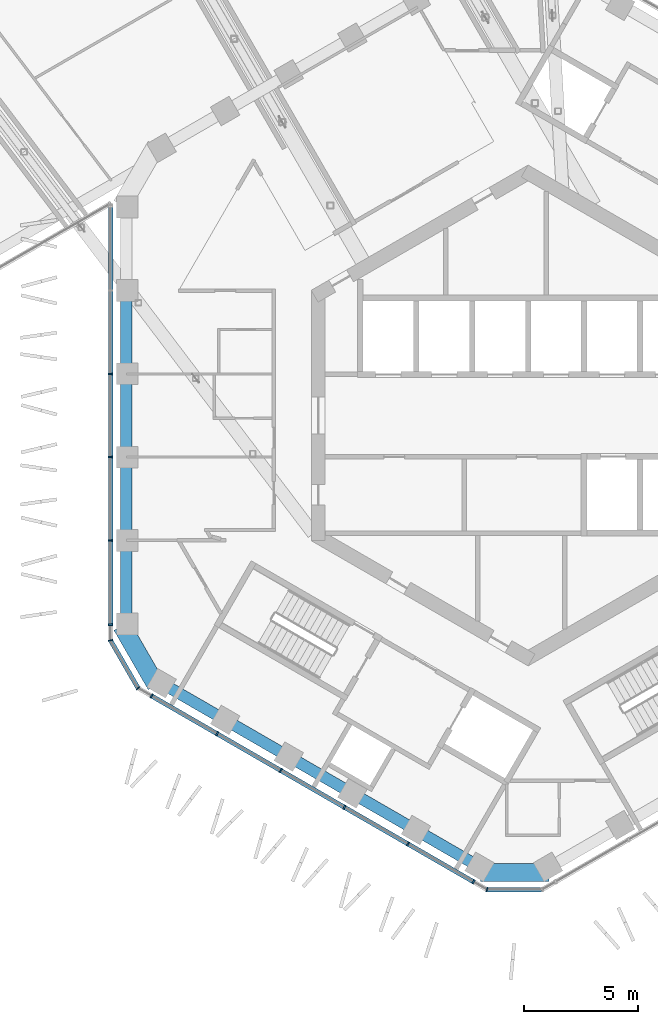
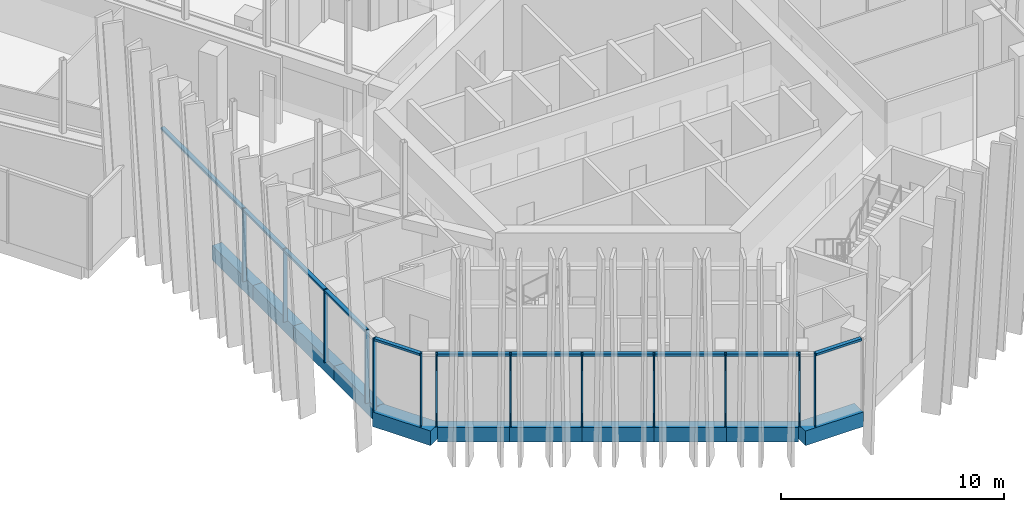
# One storey, part 2 of 29: 17 members, 11 beams, 4 elements without a shape of their own.
"""IFC4 building model written with IfcOpenShell, lengths in metres."""

from ifc_helpers import new_model, si_unit, direction, frame, origin, origin_2d, place, context, subcontext, project, spatial, rectangle, extrude, material, layer, layer_set, material_profile, profile_set, type_object, element, aggregate, save


model = new_model("IFC4")

# Units and contexts
model_context = context("Model", 3, precision=1e-05, world=origin(), true_north=direction((0.0, 1.0)))
body_context = subcontext(model_context, "Body", "Model", "MODEL_VIEW")
ifc_project = project(units=[si_unit("LENGTHUNIT", "METRE"), si_unit("AREAUNIT", "SQUARE_METRE"), si_unit("VOLUMEUNIT", "CUBIC_METRE"), si_unit("PLANEANGLEUNIT", "RADIAN"), si_unit("MASSUNIT", "GRAM", prefix="KILO")], contexts=[model_context])

# Site, building, storey
site_placement = place(None, origin())
site = spatial("IfcSite", under=ifc_project, at=site_placement, CompositionType="ELEMENT")
building_placement = place(site_placement, origin())
building = spatial("IfcBuilding", under=site, at=building_placement, Name="Ayvan Gate Tower", CompositionType="ELEMENT")
storey_placement = place(building_placement, frame((0.0, 0.0, 186.699951171875)))
storey = spatial("IfcBuildingStorey", under=building, at=storey_placement, Name="L50", CompositionType="ELEMENT", Elevation=186.699951171875)

# Beams
ifc_material_1 = material(Name="Concrete C40/50", Category="concrete")
ifc_material_profile_1 = material_profile(ifc_material_1, rectangle(XDim=0.800048828125, YDim=0.800048828125, at=origin_2d()), Name="RC 800x800")
ifc_profile_set_1 = profile_set([ifc_material_profile_1], Name="Concrete C40/50")
beam_type_1 = type_object("IfcBeamType", Name="Corner spandrel beam RC 800x800 C40/50", PredefinedType="BEAM", material=ifc_profile_set_1)
beam_1_placement = place(storey_placement, frame((-17.797607421875, -9.212646484375, -0.800048828125), z_axis=(0.50002537861, -0.866010750942, 0.0), x_axis=(0.866010750942, 0.50002537861, 0.0)))
element("IfcBeam", 1, at=beam_1_placement, inside=storey, type_object=beam_type_1, Name="SB-L50-24", PredefinedType="BEAM", context=body_context, shape_type="SweptSolid", body=[
    extrude(rectangle(XDim=0.800048828125, YDim=0.800048828125, at=origin_2d()), origin(), (0.0, 0.0, 1.0), 2.999755859375),
])
beam_2_placement = place(storey_placement, frame((-2.07958984375, -20.019287109375, -0.800048828125), z_axis=(1.0, 0.0, 0.0), x_axis=(0.0, 1.0, 0.0)))
element("IfcBeam", 2, at=beam_2_placement, inside=storey, type_object=beam_type_1, Name="SB-L50-30", PredefinedType="BEAM", context=body_context, shape_type="SweptSolid", body=[
    extrude(rectangle(XDim=0.800048828125, YDim=0.800048828125, at=origin_2d()), origin(), (0.0, 0.0, 1.0), 3.0),
])
ifc_material_profile_2 = material_profile(ifc_material_1, rectangle(XDim=0.5, YDim=0.800048828125, at=origin_2d()), Name="RC 500x800")
ifc_profile_set_2 = profile_set([ifc_material_profile_2], Name="Concrete C40/50")
beam_type_2 = type_object("IfcBeamType", Name="Spandrel beam RC 500x800 C40/50", PredefinedType="BEAM", material=ifc_profile_set_2)
beam_3_placement = place(storey_placement, frame((-17.60693359375, 5.46142578125, -0.800048828125), z_axis=(0.0, -1.0, 0.0), x_axis=(1.0, 0.0, 0.0)))
element("IfcBeam", 3, at=beam_3_placement, inside=storey, type_object=beam_type_2, Name="SB-L50-20", PredefinedType="BEAM", context=body_context, shape_type="SweptSolid", body=[
    extrude(rectangle(XDim=0.5, YDim=0.800048828125, at=origin_2d()), origin(), (0.0, 0.0, 1.0), 3.640869140625),
])
beam_4_placement = place(storey_placement, frame((-17.60693359375, 1.820556640625, -0.800048828125), z_axis=(0.0, -1.0, 0.0), x_axis=(1.0, 0.0, 0.0)))
element("IfcBeam", 4, at=beam_4_placement, inside=storey, type_object=beam_type_2, Name="SB-L50-21", PredefinedType="BEAM", context=body_context, shape_type="SweptSolid", body=[
    extrude(rectangle(XDim=0.5, YDim=0.800048828125, at=origin_2d()), origin(), (0.0, 0.0, 1.0), 3.64111328125),
])
beam_5_placement = place(storey_placement, frame((-17.60693359375, -1.820556640625, -0.800048828125), z_axis=(0.0, -1.0, 0.0), x_axis=(1.0, 0.0, 0.0)))
element("IfcBeam", 5, at=beam_5_placement, inside=storey, type_object=beam_type_2, Name="SB-L50-22", PredefinedType="BEAM", context=body_context, shape_type="SweptSolid", body=[
    extrude(rectangle(XDim=0.5, YDim=0.800048828125, at=origin_2d()), origin(), (0.0, 0.0, 1.0), 3.640869140625),
])
beam_6_placement = place(storey_placement, frame((-17.60693359375, -5.46142578125, -0.800048828125), z_axis=(0.0, -1.0, 0.0), x_axis=(1.0, 0.0, 0.0)))
element("IfcBeam", 6, at=beam_6_placement, inside=storey, type_object=beam_type_2, Name="SB-L50-23", PredefinedType="BEAM", context=body_context, shape_type="SweptSolid", body=[
    extrude(rectangle(XDim=0.5, YDim=0.800048828125, at=origin_2d()), origin(), (0.0, 0.0, 1.0), 3.64111328125),
])
beam_7_placement = place(storey_placement, frame((-16.10693359375, -11.70068359375, -0.800048828125), z_axis=(0.866036236431, -0.499981236836, 0.0), x_axis=(0.499981236836, 0.866036236431, 0.0)))
element("IfcBeam", 7, at=beam_7_placement, inside=storey, type_object=beam_type_2, Name="SB-L50-25", PredefinedType="BEAM", context=body_context, shape_type="SweptSolid", body=[
    extrude(rectangle(XDim=0.5, YDim=0.800048828125, at=origin_2d()), origin(), (0.0, 0.0, 1.0), 3.2392578125),
])
for number, where, z_axis, x_axis, name in (
    (8, (-13.301513671875, -13.3203125, -0.800048828125), (0.866003601989, -0.500037759916, 0.0), (0.500037759916, 0.866003601989, 0.0), "SB-L50-26"),
    (9, (-10.49609375, -14.940185546875, -0.800048828125), (0.866055074793, -0.499948604784, 0.0), (0.499948604784, 0.866055074793, 0.0), "SB-L50-27"),
    (10, (-7.6904296875, -16.559814453125, -0.800048828125), (0.866003601989, -0.500037759916, 0.0), (0.500037759916, 0.866003601989, 0.0), "SB-L50-28"),
):
    element("IfcBeam", number, at=place(storey_placement, frame(where, z_axis=z_axis, x_axis=x_axis)), inside=storey, type_object=beam_type_2, Name=name, PredefinedType="BEAM", context=body_context, shape_type="SweptSolid", body=[
        extrude(rectangle(XDim=0.5, YDim=0.800048828125, at=origin_2d()), origin(), (0.0, 0.0, 1.0), 3.239501953125),
    ])
beam_8_placement = place(storey_placement, frame((-4.885009765625, -18.1796875, -0.800048828125), z_axis=(0.866036236431, -0.499981236836, 0.0), x_axis=(0.499981236836, 0.866036236431, 0.0)))
element("IfcBeam", 11, at=beam_8_placement, inside=storey, type_object=beam_type_2, Name="SB-L50-29", PredefinedType="BEAM", context=body_context, shape_type="SweptSolid", body=[
    extrude(rectangle(XDim=0.5, YDim=0.800048828125, at=origin_2d()), origin(), (0.0, 0.0, 1.0), 3.2392578125),
])

# Curtain wall, members
ifc_material_2 = material(Name="Bronze anodised aluminium", Category="aluminium")
ifc_layer_1 = layer(ifc_material_2, 0.199951171875)
ifc_layer_set_1 = layer_set([ifc_layer_1], Name="Bronze anodised aluminium")
curtain_wall_type_1 = type_object("IfcCurtainWallType", Name="Stick curtain wall CW-2", PredefinedType="NOTDEFINED", material=ifc_layer_set_1)
curtain_wall_1_placement = place(storey_placement, origin())
curtain_wall_1 = element("IfcCurtainWall", 12, at=curtain_wall_1_placement, inside=storey, type_object=curtain_wall_type_1, Name="Stick curtain wall CW-2 L50", PredefinedType="NOTDEFINED")
ifc_material_profile_3 = material_profile(ifc_material_2, rectangle(XDim=0.199951171875, YDim=0.070068359375, at=origin_2d()), Name="Stick curtain wall CW-2 mullion 200 x 70")
ifc_profile_set_3 = profile_set([ifc_material_profile_3], Name="Bronze anodised aluminium")
member_type_1 = type_object("IfcMemberType", Name="Stick curtain wall CW-2 mullion 200 x 70", PredefinedType="MULLION", material=ifc_profile_set_3)
member_1_placement = place(storey_placement, frame((-18.29296875, 1.82568359375, 0.0), z_axis=(0.0, 0.0, 1.0), x_axis=(-1.0, 0.0, 0.0)))
member_1 = element("IfcMember", 13, at=member_1_placement, type_object=member_type_1, Name="CW-2 mullion 3", PredefinedType="MULLION", context=body_context, shape_type="SweptSolid", body=[
    extrude(rectangle(XDim=0.199951171875, YDim=0.070068359375, at=origin_2d()), origin(), (0.0, 0.0, 1.0), 4.0),
])
member_2_placement = place(storey_placement, frame((-18.29296875, -1.826171875, 0.0), z_axis=(0.0, 0.0, 1.0), x_axis=(-1.0, 0.0, 0.0)))
member_2 = element("IfcMember", 14, at=member_2_placement, type_object=member_type_1, Name="CW-2 mullion 4", PredefinedType="MULLION", context=body_context, shape_type="SweptSolid", body=[
    extrude(rectangle(XDim=0.199951171875, YDim=0.070068359375, at=origin_2d()), origin(), (0.0, 0.0, 1.0), 4.0),
])
member_3_placement = place(storey_placement, frame((-18.29296875, -5.478271484375, 0.0), z_axis=(0.0, 0.0, 1.0), x_axis=(-1.0, 0.0, 0.0)))
member_3 = element("IfcMember", 15, at=member_3_placement, type_object=member_type_1, Name="CW-2 mullion 5", PredefinedType="MULLION", context=body_context, shape_type="SweptSolid", body=[
    extrude(rectangle(XDim=0.199951171875, YDim=0.070068359375, at=origin_2d()), origin(), (0.0, 0.0, 1.0), 4.0),
])
member_4_placement = place(storey_placement, frame((-18.29296875, -9.167724609375, 0.0), z_axis=(0.0, 0.0, 1.0), x_axis=(-1.0, 0.0, 0.0)))
member_4 = element("IfcMember", 16, at=member_4_placement, type_object=member_type_1, Name="CW-2 mullion 6", PredefinedType="MULLION", context=body_context, shape_type="SweptSolid", body=[
    extrude(rectangle(XDim=0.199951171875, YDim=0.070068359375, at=origin_2d()), origin(), (0.0, 0.0, 1.0), 4.0),
])

curtain_wall_2_placement = place(storey_placement, origin())
curtain_wall_2 = element("IfcCurtainWall", 17, at=curtain_wall_2_placement, inside=storey, type_object=curtain_wall_type_1, Name="Stick curtain wall CW-2 L50", PredefinedType="NOTDEFINED")
member_5_placement = place(storey_placement, frame((-16.49267578125, -12.286376953125, 0.0), z_axis=(0.0, 0.0, 1.0), x_axis=(-0.5, -0.866025403784, 0.0)))
member_5 = element("IfcMember", 18, at=member_5_placement, type_object=member_type_1, Name="CW-2 mullion 1", PredefinedType="MULLION", context=body_context, shape_type="SweptSolid", body=[
    extrude(rectangle(XDim=0.199951171875, YDim=0.070068359375, at=origin_2d()), origin(), (0.0, 0.0, 1.0), 4.0),
])
member_6_placement = place(storey_placement, frame((-13.62255859375, -13.943359375, 0.0), z_axis=(0.0, 0.0, 1.0), x_axis=(-0.5, -0.866025403784, 0.0)))
member_6 = element("IfcMember", 19, at=member_6_placement, type_object=member_type_1, Name="CW-2 mullion 2", PredefinedType="MULLION", context=body_context, shape_type="SweptSolid", body=[
    extrude(rectangle(XDim=0.199951171875, YDim=0.070068359375, at=origin_2d()), origin(), (0.0, 0.0, 1.0), 4.0),
])
member_7_placement = place(storey_placement, frame((-10.836669921875, -15.5517578125, 0.0), z_axis=(0.0, 0.0, 1.0), x_axis=(-0.5, -0.866025403784, 0.0)))
member_7 = element("IfcMember", 20, at=member_7_placement, type_object=member_type_1, Name="CW-2 mullion 3", PredefinedType="MULLION", context=body_context, shape_type="SweptSolid", body=[
    extrude(rectangle(XDim=0.199951171875, YDim=0.070068359375, at=origin_2d()), origin(), (0.0, 0.0, 1.0), 4.0),
])
member_8_placement = place(storey_placement, frame((-8.050537109375, -17.160400390625, 0.0), z_axis=(0.0, 0.0, 1.0), x_axis=(-0.5, -0.866025403784, 0.0)))
member_8 = element("IfcMember", 21, at=member_8_placement, type_object=member_type_1, Name="CW-2 mullion 4", PredefinedType="MULLION", context=body_context, shape_type="SweptSolid", body=[
    extrude(rectangle(XDim=0.199951171875, YDim=0.070068359375, at=origin_2d()), origin(), (0.0, 0.0, 1.0), 4.0),
])
member_9_placement = place(storey_placement, frame((-5.2646484375, -18.768798828125, 0.0), z_axis=(0.0, 0.0, 1.0), x_axis=(-0.5, -0.866025403784, 0.0)))
member_9 = element("IfcMember", 22, at=member_9_placement, type_object=member_type_1, Name="CW-2 mullion 5", PredefinedType="MULLION", context=body_context, shape_type="SweptSolid", body=[
    extrude(rectangle(XDim=0.199951171875, YDim=0.070068359375, at=origin_2d()), origin(), (0.0, 0.0, 1.0), 4.0),
])
member_10_placement = place(storey_placement, frame((-2.39404296875, -20.426025390625, 0.0), z_axis=(0.0, 0.0, 1.0), x_axis=(-0.5, -0.866025403784, 0.0)))
member_10 = element("IfcMember", 23, at=member_10_placement, type_object=member_type_1, Name="CW-2 mullion 6", PredefinedType="MULLION", context=body_context, shape_type="SweptSolid", body=[
    extrude(rectangle(XDim=0.199951171875, YDim=0.070068359375, at=origin_2d()), origin(), (0.0, 0.0, 1.0), 4.0),
])

# Member
ifc_material_profile_4 = material_profile(ifc_material_2, rectangle(XDim=0.199951171875, YDim=0.1201171875, at=origin_2d()), Name="Stick curtain wall CW-2 transom 200 x 120")
ifc_profile_set_4 = profile_set([ifc_material_profile_4], Name="Bronze anodised aluminium")
member_type_2 = type_object("IfcMemberType", Name="Stick curtain wall CW-2 transom 200 x 120", PredefinedType="USERDEFINED", material=ifc_profile_set_4)
member_11_placement = place(storey_placement, frame((-18.29296875, 9.167724609375, 3.93994140625), z_axis=(0.0, -1.0, 0.0), x_axis=(1.0, 0.0, 0.0)))
member_11 = element("IfcMember", 24, at=member_11_placement, type_object=member_type_2, Name="CW-2 transom 1", ObjectType="TRANSOM", PredefinedType="USERDEFINED", context=body_context, shape_type="SweptSolid", body=[
    extrude(rectangle(XDim=0.199951171875, YDim=0.1201171875, at=origin_2d()), origin(), (0.0, 0.0, 1.0), 18.33544921875),
])

aggregate(curtain_wall_1, [member_1, member_2, member_3, member_4, member_11])

member_12_placement = place(storey_placement, frame((-16.49267578125, -12.286376953125, 3.93994140625), z_axis=(0.86603075035, -0.499990739362, 0.0), x_axis=(0.499990739362, 0.86603075035, 0.0)))
member_12 = element("IfcMember", 25, at=member_12_placement, type_object=member_type_2, Name="CW-2 transom 1", ObjectType="TRANSOM", PredefinedType="USERDEFINED", context=body_context, shape_type="SweptSolid", body=[
    extrude(rectangle(XDim=0.199951171875, YDim=0.1201171875, at=origin_2d()), origin(), (0.0, 0.0, 1.0), 16.279541015625),
])

aggregate(curtain_wall_2, [member_5, member_6, member_7, member_8, member_9, member_10, member_12])

# Curtain wall, members
ifc_layer_2 = layer(ifc_material_2, 0.199951171875)
ifc_layer_set_2 = layer_set([ifc_layer_2], Name="Bronze anodised aluminium")
curtain_wall_type_2 = type_object("IfcCurtainWallType", Name="Stick curtain wall CW-6", PredefinedType="NOTDEFINED", material=ifc_layer_set_2)
curtain_wall_3_placement = place(storey_placement, origin())
curtain_wall_3 = element("IfcCurtainWall", 26, at=curtain_wall_3_placement, inside=storey, type_object=curtain_wall_type_2, Name="Stick curtain wall CW-6 L50", PredefinedType="NOTDEFINED")
ifc_material_profile_5 = material_profile(ifc_material_2, rectangle(XDim=0.199951171875, YDim=0.050048828125, at=origin_2d()), Name="Stick curtain wall CW-6 mullion 200 x 50")
ifc_profile_set_5 = profile_set([ifc_material_profile_5], Name="Bronze anodised aluminium")
member_type_3 = type_object("IfcMemberType", Name="Stick curtain wall CW-6 mullion 200 x 50", PredefinedType="MULLION", material=ifc_profile_set_5)
member_13_placement = place(storey_placement, frame((-18.29296875, -9.852783203125, 0.0), z_axis=(0.0, 0.0, 1.0), x_axis=(-0.965925826289, -0.258819045103, 0.0)))
member_13 = element("IfcMember", 27, at=member_13_placement, type_object=member_type_3, Name="CW-6 mullion 2", PredefinedType="MULLION", context=body_context, shape_type="SweptSolid", body=[
    extrude(rectangle(XDim=0.199951171875, YDim=0.050048828125, at=origin_2d()), origin(), (0.0, 0.0, 1.0), 4.0),
])
member_14_placement = place(storey_placement, frame((-17.085693359375, -11.94384765625, 0.0), z_axis=(0.0, 0.0, 1.0), x_axis=(-0.707106781187, -0.707106781187, 0.0)))
member_14 = element("IfcMember", 28, at=member_14_placement, type_object=member_type_3, Name="CW-6 mullion 3", PredefinedType="MULLION", context=body_context, shape_type="SweptSolid", body=[
    extrude(rectangle(XDim=0.199951171875, YDim=0.050048828125, at=origin_2d()), origin(), (0.0, 0.0, 1.0), 4.0),
])

# Curtain wall, member
curtain_wall_4_placement = place(storey_placement, origin())
curtain_wall_4 = element("IfcCurtainWall", 29, at=curtain_wall_4_placement, inside=storey, type_object=curtain_wall_type_2, Name="Stick curtain wall CW-6 L50", PredefinedType="NOTDEFINED")
member_15_placement = place(storey_placement, frame((-1.80078125, -20.7685546875, 0.0), z_axis=(0.0, 0.0, 1.0), x_axis=(-0.258819045103, -0.965925826289, 0.0)))
member_15 = element("IfcMember", 30, at=member_15_placement, type_object=member_type_3, Name="CW-6 mullion 2", PredefinedType="MULLION", context=body_context, shape_type="SweptSolid", body=[
    extrude(rectangle(XDim=0.199951171875, YDim=0.050048828125, at=origin_2d()), origin(), (0.0, 0.0, 1.0), 4.0),
])

# Member
ifc_material_profile_6 = material_profile(ifc_material_2, rectangle(XDim=0.199951171875, YDim=0.1201171875, at=origin_2d()), Name="Stick curtain wall CW-6 transom 200 x 120")
ifc_profile_set_6 = profile_set([ifc_material_profile_6], Name="Bronze anodised aluminium")
member_type_4 = type_object("IfcMemberType", Name="Stick curtain wall CW-6 transom 200 x 120", PredefinedType="USERDEFINED", material=ifc_profile_set_6)
member_16_placement = place(storey_placement, frame((-18.280517578125, -9.87451171875, 3.93994140625), z_axis=(0.49998166818, -0.866035987407, 0.0), x_axis=(0.866035987407, 0.49998166818, 0.0)))
member_16 = element("IfcMember", 31, at=member_16_placement, type_object=member_type_4, Name="CW-6 transom 2", ObjectType="TRANSOM", PredefinedType="USERDEFINED", context=body_context, shape_type="SweptSolid", body=[
    extrude(rectangle(XDim=0.199951171875, YDim=0.1201171875, at=origin_2d()), origin(), (0.0, 0.0, 1.0), 2.3642578125),
])

aggregate(curtain_wall_3, [member_13, member_14, member_16])

member_17_placement = place(storey_placement, frame((-1.775634765625, -20.7685546875, 3.93994140625), z_axis=(1.0, 0.0, 0.0), x_axis=(0.0, 1.0, 0.0)))
member_17 = element("IfcMember", 32, at=member_17_placement, type_object=member_type_4, Name="CW-6 transom 2", ObjectType="TRANSOM", PredefinedType="USERDEFINED", context=body_context, shape_type="SweptSolid", body=[
    extrude(rectangle(XDim=0.199951171875, YDim=0.1201171875, at=origin_2d()), origin(), (0.0, 0.0, 1.0), 2.364501953125),
])

aggregate(curtain_wall_4, [member_15, member_17])

save(model, "model.ifc")
